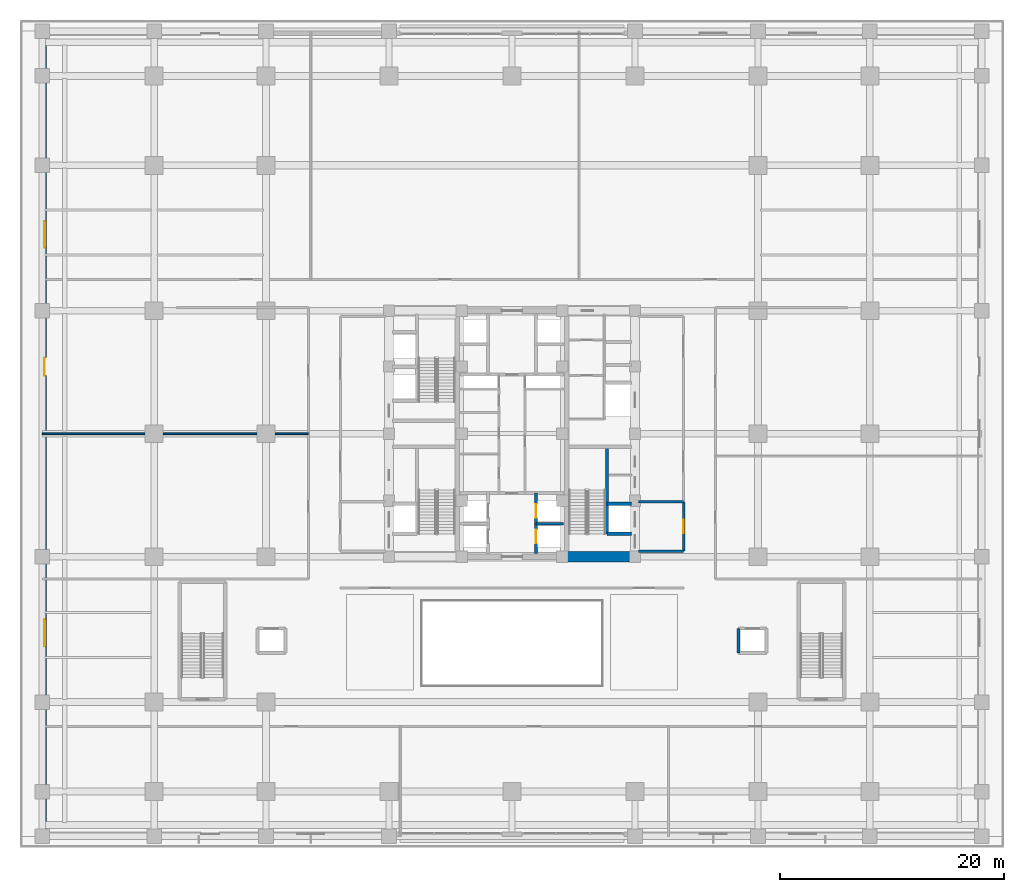
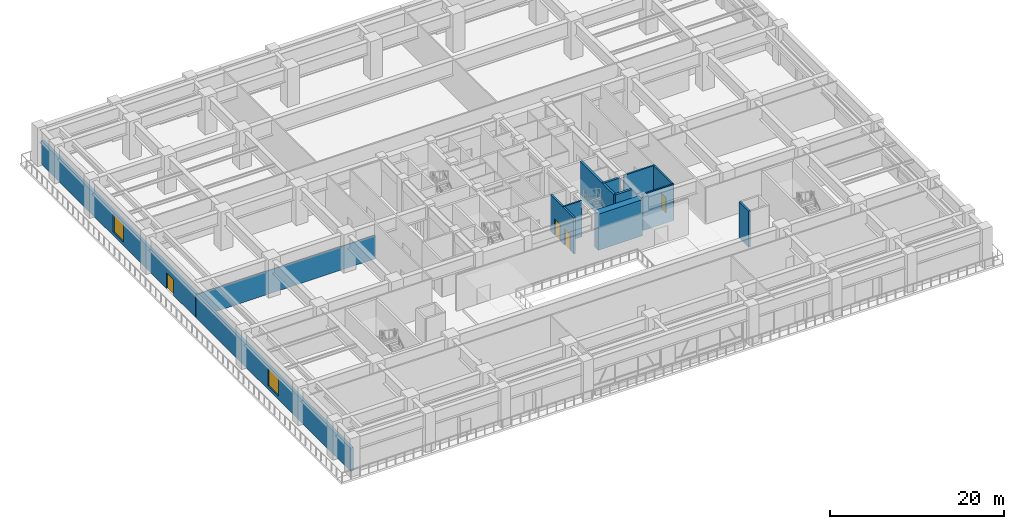
# One storey, part 16 of 28: 12 walls, 4 doors, 2 windows, 6 openings.
"""IFC4 building model written with IfcOpenShell, lengths in metres."""

from ifc_helpers import new_model, si_unit, direction, frame, frame_2d, origin, place, context, subcontext, project, spatial, rectangle, extrude, source, transform, mapped, material, layer, layer_set, type_object, element, fill, save


model = new_model("IFC4")

# Units and contexts
model_context = context("Model", 3, precision=1e-05, world=origin(), true_north=direction((0.0, 1.0)))
body_context = subcontext(model_context, "Body", "Model", "MODEL_VIEW")
ifc_project = project(units=[si_unit("LENGTHUNIT", "METRE"), si_unit("AREAUNIT", "SQUARE_METRE"), si_unit("VOLUMEUNIT", "CUBIC_METRE"), si_unit("PLANEANGLEUNIT", "RADIAN"), si_unit("MASSUNIT", "GRAM", prefix="KILO")], contexts=[model_context])

# Site, building, storey
site_placement = place(None, origin())
site = spatial("IfcSite", under=ifc_project, at=site_placement, CompositionType="ELEMENT")
building_placement = place(site_placement, origin())
building = spatial("IfcBuilding", under=site, at=building_placement, Name="Khorayat Bourse Tower", CompositionType="ELEMENT")
storey_placement = place(building_placement, frame((0.0, 0.0, 12.0)))
storey = spatial("IfcBuildingStorey", under=building, at=storey_placement, Name="L02", CompositionType="ELEMENT", Elevation=12.0)

# Wall
ifc_material_1 = material(Name="Concrete C72/90", Category="concrete")
ifc_layer_1 = layer(ifc_material_1, 0.89990234375)
ifc_layer_set_1 = layer_set([ifc_layer_1], Name="Concrete C72/90")
wall_type_1 = type_object("IfcWallType", Name="WAL-CORE-900", PredefinedType="SHEAR", material=ifc_layer_set_1)
shared_shape_1 = source(origin(), body_context, "Body", "SweptSolid", [
    extrude(rectangle(XDim=5.849853515625, YDim=0.89990234375, at=frame_2d((2.9248046875, 0.0))), origin(), (0.0, 0.0, 1.0), 5.080078125),
])
wall_1_placement = place(storey_placement, frame((4.85009765625, -11.0, 0.0), z_axis=(0.0, 0.0, 1.0), x_axis=(1.0, 0.0, 0.0)))
element("IfcWall", 1, at=wall_1_placement, inside=storey, type_object=wall_type_1, Name="L02 Core Shear Wall PIER-ES", PredefinedType="SHEAR", context=body_context, shape_type="MappedRepresentation", body=[
    mapped(shared_shape_1, transform((0.0, 0.0, 0.0), scale=1.0)),
])

# Wall, openings, door, windows
ifc_material_2 = material(Name="Precast concrete C45/55", Category="concrete")
ifc_layer_2 = layer(ifc_material_2, 0.3798828125)
ifc_layer_set_2 = layer_set([ifc_layer_2], Name="Precast concrete C45/55")
wall_type_2 = type_object("IfcWallType", Name="WAL-EXT-STONE-380", PredefinedType="STANDARD", material=ifc_layer_set_2)
shared_shape_2 = source(origin(), body_context, "Body", "SweptSolid", [
    extrude(rectangle(XDim=71.240234375, YDim=0.3798828125, at=frame_2d((35.6201171875, 0.0))), origin(), (0.0, 0.0, 1.0), 3.280029296875),
])
wall_2_placement = place(storey_placement, frame((-41.81005859375, -35.6201171875, 0.0), z_axis=(0.0, 0.0, 1.0), x_axis=(0.0, 1.0, 0.0)))
wall_2 = element("IfcWall", 2, at=wall_2_placement, inside=storey, type_object=wall_type_2, Name="L02 Exterior Limestone Wall WAL-L02-EXT-WF", PredefinedType="STANDARD", context=body_context, shape_type="MappedRepresentation", body=[
    mapped(shared_shape_2, transform((0.0, 0.0, 0.0), scale=1.0)),
])
shared_shape_3 = source(origin(), body_context, "Body", "SweptSolid", [
    extrude(rectangle(XDim=1.60009765625, YDim=2.25, at=frame_2d((0.800048828125, 1.125))), frame((0.0, 0.199951171875, 0.0), z_axis=(0.0, -1.0, 0.0), x_axis=(1.0, 0.0, 0.0)), (0.0, 0.0, 1.0), 0.39990234375),
])
opening_1_placement = place(wall_2_placement, frame((40.820068359375, 0.0, 0.0)))
opening_1 = element("IfcOpeningElement", 3, at=opening_1_placement, cuts=wall_2, Name="Opening DE-04", PredefinedType="OPENING", context=body_context, shape_type="MappedRepresentation", body=[
    mapped(shared_shape_3, transform((0.0, 0.0, 0.0), scale=1.0)),
])
shared_shape_4 = source(origin(), body_context, "Body", "SweptSolid", [
    extrude(rectangle(XDim=2.39990234375, YDim=2.56005859375, at=frame_2d((1.199951171875, 1.280029296875))), frame((0.0, 0.199951171875, 0.0), z_axis=(0.0, -1.0, 0.0), x_axis=(1.0, 0.0, 0.0)), (0.0, 0.0, 1.0), 0.39990234375),
])
opening_2_placement = place(wall_2_placement, frame((16.610107421875, 0.0, 0.5)))
opening_2 = element("IfcOpeningElement", 4, at=opening_2_placement, cuts=wall_2, Name="Opening WN-01", PredefinedType="OPENING", context=body_context, shape_type="MappedRepresentation", body=[
    mapped(shared_shape_4, transform((0.0, 0.0, 0.0), scale=1.0)),
])
opening_3_placement = place(wall_2_placement, frame((52.22998046875, 0.0, 0.5)))
opening_3 = element("IfcOpeningElement", 5, at=opening_3_placement, cuts=wall_2, Name="Opening WN-01", PredefinedType="OPENING", context=body_context, shape_type="MappedRepresentation", body=[
    mapped(shared_shape_4, transform((0.0, 0.0, 0.0), scale=1.0)),
])
ifc_material_3 = material(Name="Thermally broken aluminium terrace double door", Category="aluminium")
door_type_1 = type_object("IfcDoorType", Name="DR-EXT-TERR-1600", OperationType="NOTDEFINED", PredefinedType="DOOR", material=ifc_material_3)
shared_shape_5 = source(origin(), body_context, "Body", "SweptSolid", [
    extrude(rectangle(XDim=1.60009765625, YDim=2.25, at=frame_2d((0.800048828125, 1.125))), frame((0.0, 0.02490234375, 0.0), z_axis=(0.0, -1.0, 0.0), x_axis=(1.0, 0.0, 0.0)), (0.0, 0.0, 1.0), 0.050048828125),
])
door_1_placement = place(opening_1_placement, origin())
door_1 = element("IfcDoor", 6, at=door_1_placement, inside=storey, type_object=door_type_1, Name="L02 West Garden Terrace Door", OperationType="DOUBLE_DOOR_SINGLE_SWING", OverallHeight=2.25, OverallWidth=1.60009765625, PredefinedType="DOOR", context=body_context, shape_type="MappedRepresentation", body=[
    mapped(shared_shape_5, transform((0.0, 0.0, 0.0), scale=1.0)),
])
fill(opening_1, door_1)
ifc_material_4 = material(Name="Low-E solar-control laminated double glazing", Category="glass")
window_type = type_object("IfcWindowType", Name="WIN-POD-2400x2600", PartitioningType="SINGLE_PANEL", PredefinedType="WINDOW", material=ifc_material_4)
shared_shape_6 = source(origin(), body_context, "Body", "SweptSolid", [
    extrude(rectangle(XDim=2.39990234375, YDim=2.56005859375, at=frame_2d((1.199951171875, 1.280029296875))), frame((0.0, 0.030029296875, 0.0), z_axis=(0.0, -1.0, 0.0), x_axis=(1.0, 0.0, 0.0)), (0.0, 0.0, 1.0), 0.06005859375),
])
window_1_placement = place(opening_2_placement, origin())
window_1 = element("IfcWindow", 7, at=window_1_placement, inside=storey, type_object=window_type, Name="L02 Facade Window 1", OverallHeight=2.56005859375, OverallWidth=2.39990234375, PartitioningType="SINGLE_PANEL", PredefinedType="WINDOW", context=body_context, shape_type="MappedRepresentation", body=[
    mapped(shared_shape_6, transform((0.0, 0.0, 0.0), scale=1.0)),
])
fill(opening_2, window_1)
window_2_placement = place(opening_3_placement, origin())
window_2 = element("IfcWindow", 8, at=window_2_placement, inside=storey, type_object=window_type, Name="L02 Facade Window 3", OverallHeight=2.56005859375, OverallWidth=2.39990234375, PartitioningType="SINGLE_PANEL", PredefinedType="WINDOW", context=body_context, shape_type="MappedRepresentation", body=[
    mapped(shared_shape_6, transform((0.0, 0.0, 0.0), scale=1.0)),
])
fill(opening_3, window_2)

# Walls
ifc_material_5 = material(Name="Concrete C50/60", Category="concrete")
ifc_layer_3 = layer(ifc_material_5, 0.300048828125)
ifc_layer_set_3 = layer_set([ifc_layer_3], Name="Concrete C50/60")
wall_type_3 = type_object("IfcWallType", Name="WAL-SHAFT-300", PredefinedType="SHEAR", material=ifc_layer_set_3)
shared_shape_7 = source(origin(), body_context, "Body", "SweptSolid", [
    extrude(rectangle(XDim=7.800048828125, YDim=0.300048828125, at=frame_2d((3.89990234375, 0.0))), origin(), (0.0, 0.0, 1.0), 5.080078125),
])
wall_3_placement = place(storey_placement, frame((8.5, -8.949951171875, 0.0), z_axis=(0.0, 0.0, 1.0), x_axis=(0.0, 1.0, 0.0)))
element("IfcWall", 9, at=wall_3_placement, inside=storey, type_object=wall_type_3, Name="L02 Partition WAL-L02-EPIER-SP", PredefinedType="SHEAR", context=body_context, shape_type="MappedRepresentation", body=[
    mapped(shared_shape_7, transform((0.0, 0.0, 0.0), scale=1.0)),
])
shared_shape_8 = source(origin(), body_context, "Body", "SweptSolid", [
    extrude(rectangle(XDim=2.199951171875, YDim=0.300048828125, at=frame_2d((1.10009765625, 0.0))), origin(), (0.0, 0.0, 1.0), 5.080078125),
])
for number, where, z_axis, x_axis, name in (
    (10, (8.5, -8.949951171875, 0.0), (0.0, 0.0, 1.0), (1.0, 0.0, 0.0), "L02 Partition WAL-L02-EPIER-FF2S"),
    (11, (8.5, -6.25, 0.0), (0.0, 0.0, 1.0), (1.0, 0.0, 0.0), "L02 Partition WAL-L02-EPIER-FF2N"),
):
    element("IfcWall", number, at=place(storey_placement, frame(where, z_axis=z_axis, x_axis=x_axis)), inside=storey, type_object=wall_type_3, Name=name, PredefinedType="SHEAR", context=body_context, shape_type="MappedRepresentation", body=[
        mapped(shared_shape_8, transform((0.0, 0.0, 0.0), scale=1.0)),
    ])
ifc_material_6 = material(Name="Aerated concrete blockwork", Category="masonry")
ifc_layer_4 = layer(ifc_material_6, 0.219970703125)
ifc_layer_set_4 = layer_set([ifc_layer_4], Name="Aerated concrete blockwork")
wall_type_4 = type_object("IfcWallType", Name="WAL-PART-FF-220", PredefinedType="PARTITIONING", material=ifc_layer_set_4)
shared_shape_9 = source(origin(), body_context, "Body", "SweptSolid", [
    extrude(rectangle(XDim=4.050048828125, YDim=0.219970703125, at=frame_2d((2.02490234375, 0.0))), origin(), (0.0, 0.0, 1.0), 5.080078125),
])
for number, where, z_axis, x_axis, name in (
    (12, (11.300048828125, -10.5, 0.0), (0.0, 0.0, 1.0), (1.0, 0.0, 0.0), "L02 Partition WAL-L02-FFLE-S"),
    (13, (11.300048828125, -6.10009765625, 0.0), (0.0, 0.0, 1.0), (1.0, 0.0, 0.0), "L02 Partition WAL-L02-FFLE-N"),
):
    element("IfcWall", number, at=place(storey_placement, frame(where, z_axis=z_axis, x_axis=x_axis)), inside=storey, type_object=wall_type_4, Name=name, PredefinedType="PARTITIONING", context=body_context, shape_type="MappedRepresentation", body=[
        mapped(shared_shape_9, transform((0.0, 0.0, 0.0), scale=1.0)),
    ])

# Wall, opening, door
shared_shape_10 = source(origin(), body_context, "Body", "SweptSolid", [
    extrude(rectangle(XDim=4.39990234375, YDim=0.219970703125, at=frame_2d((2.199951171875, 0.0))), origin(), (0.0, 0.0, 1.0), 5.080078125),
])
wall_4_placement = place(storey_placement, frame((15.35009765625, -10.5, 0.0), z_axis=(0.0, 0.0, 1.0), x_axis=(0.0, 1.0, 0.0)))
wall_4 = element("IfcWall", 14, at=wall_4_placement, inside=storey, type_object=wall_type_4, Name="L02 Partition WAL-L02-FFLE-E", PredefinedType="PARTITIONING", context=body_context, shape_type="MappedRepresentation", body=[
    mapped(shared_shape_10, transform((0.0, 0.0, 0.0), scale=1.0)),
])
shared_shape_11 = source(origin(), body_context, "Body", "SweptSolid", [
    extrude(rectangle(XDim=1.199951171875, YDim=2.199951171875, at=frame_2d((0.60009765625, 1.10009765625))), frame((0.0, 0.119873046875, 0.0), z_axis=(0.0, -1.0, 0.0), x_axis=(1.0, 0.0, 0.0)), (0.0, 0.0, 1.0), 0.239990234375),
])
opening_4_placement = place(wall_4_placement, frame((1.60009765625, 0.0, 0.0)))
opening_4 = element("IfcOpeningElement", 15, at=opening_4_placement, cuts=wall_4, Name="Opening DI-02", PredefinedType="OPENING", context=body_context, shape_type="MappedRepresentation", body=[
    mapped(shared_shape_11, transform((0.0, 0.0, 0.0), scale=1.0)),
])
ifc_material_7 = material(Name="Fire-rated steel double-seal leaf", Category="steel")
door_type_2 = type_object("IfcDoorType", Name="DR-INT-FFLOBBY-1200", OperationType="NOTDEFINED", PredefinedType="DOOR", material=ifc_material_7)
shared_shape_12 = source(origin(), body_context, "Body", "SweptSolid", [
    extrude(rectangle(XDim=1.199951171875, YDim=2.199951171875, at=frame_2d((0.60009765625, 1.10009765625))), frame((0.0, 0.02490234375, 0.0), z_axis=(0.0, -1.0, 0.0), x_axis=(1.0, 0.0, 0.0)), (0.0, 0.0, 1.0), 0.050048828125),
])
door_2_placement = place(opening_4_placement, origin())
door_2 = element("IfcDoor", 16, at=door_2_placement, inside=storey, type_object=door_type_2, Name="L02 East Firefighting Lobby Door", OperationType="SINGLE_SWING_RIGHT", OverallHeight=2.199951171875, OverallWidth=1.199951171875, PredefinedType="DOOR", context=body_context, shape_type="MappedRepresentation", body=[
    mapped(shared_shape_12, transform((0.0, 0.0, 0.0), scale=1.0)),
])
fill(opening_4, door_2)

# Wall, openings, doors
shared_shape_13 = source(origin(), body_context, "Body", "SweptSolid", [
    extrude(rectangle(XDim=5.39990234375, YDim=0.25, at=frame_2d((2.699951171875, 0.0))), origin(), (0.0, 0.0, 1.0), 5.080078125),
])
wall_5_placement = place(storey_placement, frame((2.14990234375, -10.699951171875, 0.0), z_axis=(0.0, 0.0, 1.0), x_axis=(0.0, 1.0, 0.0)))
wall_5 = element("IfcWall", 17, at=wall_5_placement, inside=storey, type_object=wall_type_3, Name="L02 Partition WAL-L02-B1-E", PredefinedType="SHEAR", context=body_context, shape_type="MappedRepresentation", body=[
    mapped(shared_shape_13, transform((0.0, 0.0, 0.0), scale=1.0)),
])
shared_shape_14 = source(origin(), body_context, "Body", "SweptSolid", [
    extrude(rectangle(XDim=1.199951171875, YDim=2.300048828125, at=frame_2d((0.60009765625, 1.14990234375))), frame((0.0, 0.135009765625, 0.0), z_axis=(0.0, -1.0, 0.0), x_axis=(1.0, 0.0, 0.0)), (0.0, 0.0, 1.0), 0.27001953125),
])
opening_5_placement = place(wall_5_placement, frame((0.89990234375, 0.0, 0.0)))
opening_5 = element("IfcOpeningElement", 18, at=opening_5_placement, cuts=wall_5, Name="Opening LD-01", PredefinedType="OPENING", context=body_context, shape_type="MappedRepresentation", body=[
    mapped(shared_shape_14, transform((0.0, 0.0, 0.0), scale=1.0)),
])
opening_6_placement = place(wall_5_placement, frame((3.199951171875, 0.0, 0.0)))
opening_6 = element("IfcOpeningElement", 19, at=opening_6_placement, cuts=wall_5, Name="Opening LD-01", PredefinedType="OPENING", context=body_context, shape_type="MappedRepresentation", body=[
    mapped(shared_shape_14, transform((0.0, 0.0, 0.0), scale=1.0)),
])
ifc_material_8 = material(Name="Brushed bronze stainless-steel sliding door", Category="steel")
door_type_3 = type_object("IfcDoorType", Name="DR-LIFT-PASS-1200", OperationType="NOTDEFINED", PredefinedType="DOOR", material=ifc_material_8)
shared_shape_15 = source(origin(), body_context, "Body", "SweptSolid", [
    extrude(rectangle(XDim=1.199951171875, YDim=2.300048828125, at=frame_2d((0.60009765625, 1.14990234375))), frame((0.0, 0.02490234375, 0.0), z_axis=(0.0, -1.0, 0.0), x_axis=(1.0, 0.0, 0.0)), (0.0, 0.0, 1.0), 0.050048828125),
])
door_3_placement = place(opening_5_placement, origin())
door_3 = element("IfcDoor", 20, at=door_3_placement, inside=storey, type_object=door_type_3, Name="L02 Lift PL-L2 Sliding Landing Door", OperationType="SLIDING_TO_LEFT", OverallHeight=2.300048828125, OverallWidth=1.199951171875, PredefinedType="DOOR", context=body_context, shape_type="MappedRepresentation", body=[
    mapped(shared_shape_15, transform((0.0, 0.0, 0.0), scale=1.0)),
])
fill(opening_5, door_3)
door_4_placement = place(opening_6_placement, origin())
door_4 = element("IfcDoor", 21, at=door_4_placement, inside=storey, type_object=door_type_3, Name="L02 Lift PL-L4 Sliding Landing Door", OperationType="SLIDING_TO_LEFT", OverallHeight=2.300048828125, OverallWidth=1.199951171875, PredefinedType="DOOR", context=body_context, shape_type="MappedRepresentation", body=[
    mapped(shared_shape_15, transform((0.0, 0.0, 0.0), scale=1.0)),
])
fill(opening_6, door_4)

# Walls
shared_shape_16 = source(origin(), body_context, "Body", "SweptSolid", [
    extrude(rectangle(XDim=2.4501953125, YDim=0.199951171875, at=frame_2d((1.22509765625, 0.0))), origin(), (0.0, 0.0, 1.0), 5.080078125),
])
wall_6_placement = place(storey_placement, frame((2.14990234375, -8.050048828125, 0.0), z_axis=(0.0, 0.0, 1.0), x_axis=(1.0, 0.0, 0.0)))
element("IfcWall", 22, at=wall_6_placement, inside=storey, type_object=wall_type_3, Name="L02 Partition WAL-L02-B1-ME", PredefinedType="SHEAR", context=body_context, shape_type="MappedRepresentation", body=[
    mapped(shared_shape_16, transform((0.0, 0.0, 0.0), scale=1.0)),
])
shared_shape_17 = source(origin(), body_context, "Body", "SweptSolid", [
    extrude(rectangle(XDim=2.2001953125, YDim=0.25, at=frame_2d((1.10009765625, 0.0))), origin(), (0.0, 0.0, 1.0), 5.080078125),
])
wall_7_placement = place(storey_placement, frame((20.25, -19.60009765625, 0.0), z_axis=(0.0, 0.0, 1.0), x_axis=(0.0, 1.0, 0.0)))
element("IfcWall", 23, at=wall_7_placement, inside=storey, type_object=wall_type_3, Name="L02 Partition WAL-L02-PLP2-W", PredefinedType="SHEAR", context=body_context, shape_type="MappedRepresentation", body=[
    mapped(shared_shape_17, transform((0.0, 0.0, 0.0), scale=1.0)),
])
ifc_material_9 = material(Name="Gypsum plasterboard twin-frame partition")
ifc_layer_5 = layer(ifc_material_9, 0.14990234375)
ifc_layer_set_5 = layer_set([ifc_layer_5], Name="Gypsum plasterboard twin-frame partition")
wall_type_5 = type_object("IfcWallType", Name="WAL-PART-SUITE-150", PredefinedType="PARTITIONING", material=ifc_layer_set_5)
shared_shape_18 = source(origin(), body_context, "Body", "SweptSolid", [
    extrude(rectangle(XDim=23.800048828125, YDim=0.14990234375, at=frame_2d((11.89990234375, 0.0))), origin(), (0.0, 0.0, 1.0), 3.280029296875),
])
wall_8_placement = place(storey_placement, frame((-42.0, 0.0, 0.0), z_axis=(0.0, 0.0, 1.0), x_axis=(1.0, 0.0, 0.0)))
element("IfcWall", 24, at=wall_8_placement, inside=storey, type_object=wall_type_5, Name="L02 Partition WAL-L02-PW-DIV-1", PredefinedType="PARTITIONING", context=body_context, shape_type="MappedRepresentation", body=[
    mapped(shared_shape_18, transform((0.0, 0.0, 0.0), scale=1.0)),
])

save(model, "model.ifc")
